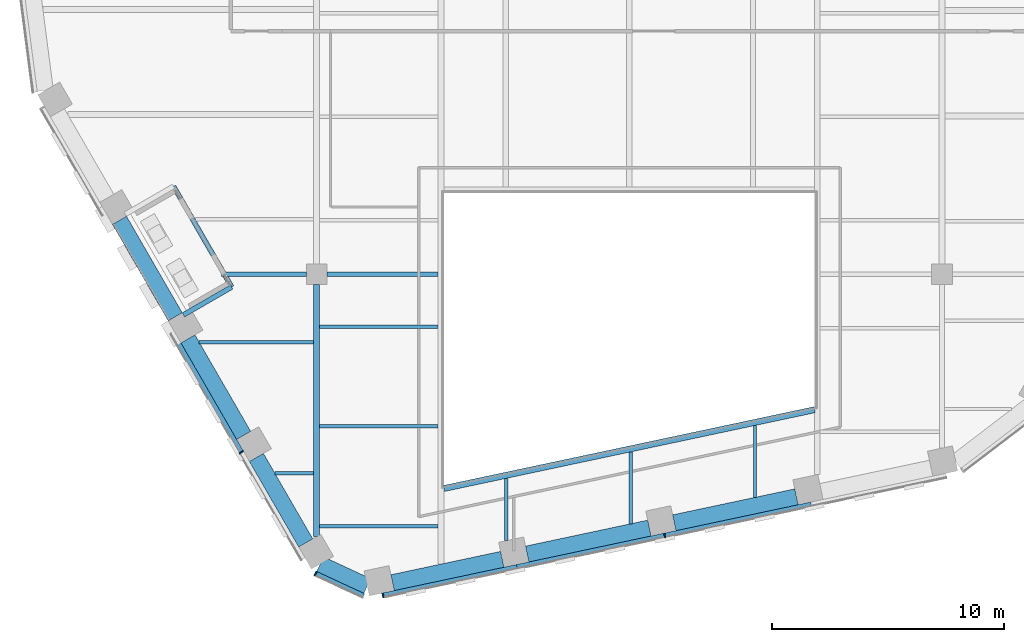
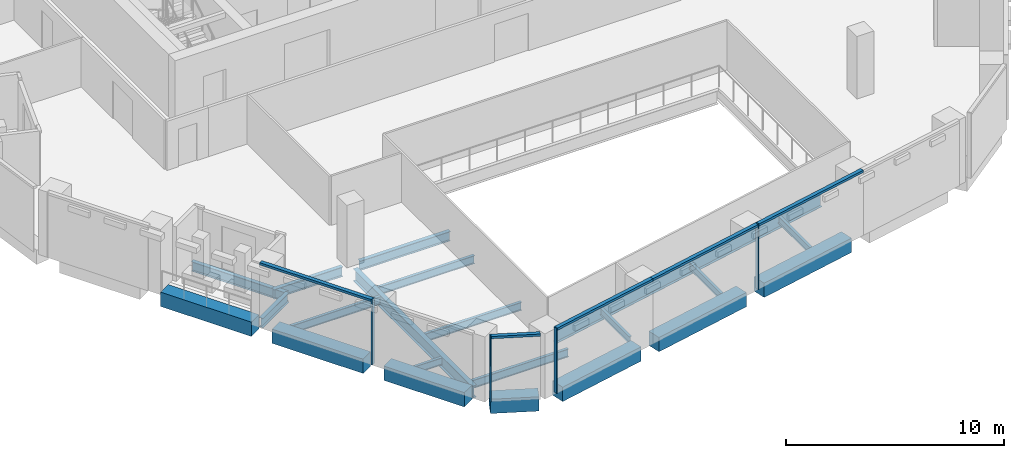
# One storey, part 2 of 24: 21 beams, 9 members, 3 elements without a shape of their own.
"""IFC4 building model written with IfcOpenShell, lengths in metres."""

import ifcopenshell
import ifcopenshell.guid

model = None  # the IFC model being written
_history = None  # IfcOwnerHistory: only IFC2X3 demands one
_inside = {}  # id of a spatial element -> (the spatial element, [elements in it])
_under = {}  # id of a project, library or spatial element -> (it, [spatial elements below it])
_declared = {}  # id of a project -> (the project, [libraries it declares])
_typed = {}  # id of a type object -> (the type object, [elements of that type])
_made_of = {}  # id of a material, layer set ... -> (it, [elements and type objects made of it])


def new_model(schema):
    """Start an empty IFC model of exactly this schema.

    Asked for "IFC4X3", IfcOpenShell would pick the latest addendum, in which some entities
    have other attributes; the version numbers below select the first issue.
    IFC2X3 requires an IfcOwnerHistory on every rooted entity: one is made here for all.
    """
    global model, _history
    if schema == "IFC4X3":
        model = ifcopenshell.file(schema_version=(4, 3, 0, 0))
    else:
        model = ifcopenshell.file(schema=schema)
    _inside.clear()
    _under.clear()
    _declared.clear()
    _typed.clear()
    _made_of.clear()
    _history = None
    if model.schema == "IFC2X3":
        org = make("IfcOrganization", Name="unknown")
        user = make(
            "IfcPersonAndOrganization",
            ThePerson=make("IfcPerson", FamilyName="unknown"),
            TheOrganization=org,
        )
        app = make(
            "IfcApplication",
            ApplicationDeveloper=org,
            Version="unknown",
            ApplicationFullName="unknown",
            ApplicationIdentifier="unknown",
        )
        _history = make(
            "IfcOwnerHistory",
            OwningUser=user,
            OwningApplication=app,
            ChangeAction="ADDED",
            CreationDate=0,
        )
    return model


def make(cls, **values):
    """One entity of the class cls with the attributes given. An attribute that is None is left unset."""
    return model.create_entity(
        cls, **{name: value for name, value in values.items() if value is not None}
    )


def rooted(cls, **values):
    """An entity with a GlobalId (a new one), such as an element, a storey or a relation."""
    return make(cls, GlobalId=ifcopenshell.guid.new(), OwnerHistory=_history, **values)


def si_unit(unit_type, name, prefix=None):
    """IfcSIUnit, for example si_unit("LENGTHUNIT", "METRE", prefix="MILLI")."""
    return make("IfcSIUnit", UnitType=unit_type, Prefix=prefix, Name=name)


def assignment(units):
    """IfcUnitAssignment: the units of a project."""
    return None if units is None else make("IfcUnitAssignment", Units=units)


def point(xyz):
    """IfcCartesianPoint."""
    return None if xyz is None else make("IfcCartesianPoint", Coordinates=xyz)


def direction(xyz):
    """IfcDirection."""
    return None if xyz is None else make("IfcDirection", DirectionRatios=xyz)


def frame(location, z_axis=None, x_axis=None):
    """IfcAxis2Placement3D, a coordinate frame: its origin and axes. An axis left out is left unset."""
    return make(
        "IfcAxis2Placement3D",
        Location=point(location),
        Axis=direction(z_axis),
        RefDirection=direction(x_axis),
    )


def frame_2d(location, x_axis=None):
    """IfcAxis2Placement2D, a coordinate frame in the plane: its origin and x axis."""
    return make(
        "IfcAxis2Placement2D", Location=point(location), RefDirection=direction(x_axis)
    )


def origin():
    """The frame at (0, 0, 0) with its axes left unset."""
    return frame((0.0, 0.0, 0.0))


def origin_2d():
    """The frame at (0, 0) in the plane with its x axis left unset."""
    return frame_2d((0.0, 0.0))


def place(relative_to, where):
    """IfcLocalPlacement: puts the frame where relative to a parent placement (None: the world)."""
    return make(
        "IfcLocalPlacement", PlacementRelTo=relative_to, RelativePlacement=where
    )


def context(
    kind, dimensions, precision=None, world=None, true_north=None, identifier=None
):
    """IfcGeometricRepresentationContext, for example the 3D "Model" context."""
    return make(
        "IfcGeometricRepresentationContext",
        ContextIdentifier=identifier,
        ContextType=kind,
        CoordinateSpaceDimension=dimensions,
        Precision=precision,
        WorldCoordinateSystem=world,
        TrueNorth=true_north,
    )


def subcontext(parent, identifier, kind, view, scale=None):
    """IfcGeometricRepresentationSubContext, for example "Body" below "Model"."""
    return make(
        "IfcGeometricRepresentationSubContext",
        ContextIdentifier=identifier,
        ContextType=kind,
        ParentContext=parent,
        TargetScale=scale,
        TargetView=view,
    )


def project(units=None, contexts=None):
    """IfcProject with its units and contexts."""
    return rooted(
        "IfcProject",
        Name="project",
        RepresentationContexts=contexts,
        UnitsInContext=assignment(units),
    )


def spatial(cls, under=None, at=None, **own):
    """A site, building, storey or space (cls), placed at a placement, below another one or the project."""
    s = rooted(cls, ObjectPlacement=at, **own)
    if under is not None:
        _under.setdefault(under.id(), (under, []))[1].append(s)
    return s


def profile(cls, at=None, kind="AREA", **sizes):
    """A parametric profile (cls). Its sizes go by their IFC names, for example OverallWidth=200.0."""
    return make(cls, ProfileType=kind, Position=at, **sizes)


def rectangle(**sizes):
    """IfcRectangleProfileDef."""
    return profile("IfcRectangleProfileDef", **sizes)


def i_section(**sizes):
    """IfcIShapeProfileDef."""
    return profile("IfcIShapeProfileDef", **sizes)


def extrude(swept, where, along, depth):
    """IfcExtrudedAreaSolid: the profile swept, set in the frame where, extruded along a direction by depth."""
    return make(
        "IfcExtrudedAreaSolid",
        SweptArea=swept,
        Position=where,
        ExtrudedDirection=direction(along),
        Depth=depth,
    )


def shape(context_of_items, identifier, shape_type, items):
    """IfcShapeRepresentation: the items that make up one representation, for example the "Body"."""
    return make(
        "IfcShapeRepresentation",
        ContextOfItems=context_of_items,
        RepresentationIdentifier=identifier,
        RepresentationType=shape_type,
        Items=items,
    )


def material(Name=None, Category=None):
    """IfcMaterial."""
    return make("IfcMaterial", Name=Name, Category=Category)


def layer(
    of_material, thickness, ventilated=None, Name=None, Category=None, Priority=None
):
    """IfcMaterialLayer: one layer of a wall or slab, of a material (None: an air gap)."""
    return make(
        "IfcMaterialLayer",
        Material=of_material,
        LayerThickness=thickness,
        IsVentilated=ventilated,
        Name=Name,
        Category=Category,
        Priority=Priority,
    )


def layer_set(layers, Name=None):
    """IfcMaterialLayerSet."""
    return make("IfcMaterialLayerSet", MaterialLayers=layers, LayerSetName=Name)


def material_profile(
    of_material, cross_section, Name=None, Category=None, Priority=None
):
    """IfcMaterialProfile: a cross section and its material."""
    return make(
        "IfcMaterialProfile",
        Name=Name,
        Material=of_material,
        Profile=cross_section,
        Priority=Priority,
        Category=Category,
    )


def profile_set(profiles, Name=None, composite=None):
    """IfcMaterialProfileSet."""
    return make(
        "IfcMaterialProfileSet",
        Name=Name,
        MaterialProfiles=profiles,
        CompositeProfile=composite,
    )


def made_of(thing, what):
    """Note that an element or type object is made of a material, layer set ...; save() writes the relation."""
    if what is not None:
        _made_of.setdefault(what.id(), (what, []))[1].append(thing)
    return thing


def type_object(cls, material=None, **own):
    """A type object (cls), such as IfcWallType, which elements share."""
    return made_of(rooted(cls, **own), material)


def element(
    cls,
    number,
    at=None,
    inside=None,
    cuts=None,
    type_object=None,
    material=None,
    context=None,
    identifier="Body",
    shape_type=None,
    held_by="IfcProductDefinitionShape",
    body=None,
    shapes=None,
    **own,
):
    """One element of the class cls, such as IfcWall. Its Tag is "e" and its number.

    at: its placement. inside: the storey or other place that contains it. cuts: it is an
    opening in that element (IfcRelVoidsElement). A single representation is given by context,
    identifier, shape_type and body (its items); several are given by shapes. held_by: the class
    of the entity that holds the representations. save() writes the other relations.
    """
    e = rooted(cls, Tag="e%d" % number, ObjectPlacement=at, **own)
    if body is not None:
        shapes = [shape(context, identifier, shape_type, body)]
    if shapes is not None:
        e.Representation = make(held_by, Representations=shapes)
    if inside is not None:
        _inside.setdefault(inside.id(), (inside, []))[1].append(e)
    if cuts is not None:
        rooted(
            "IfcRelVoidsElement", RelatingBuildingElement=cuts, RelatedOpeningElement=e
        )
    if type_object is not None:
        _typed.setdefault(type_object.id(), (type_object, []))[1].append(e)
    return made_of(e, material)


def aggregate(whole, parts):
    """IfcRelAggregates: a whole, such as a stair, and the parts it consists of."""
    return rooted("IfcRelAggregates", RelatingObject=whole, RelatedObjects=parts)


def save(model, path):
    """Write the relations noted so far, then the file.

    IfcRelAggregates (storeys below a building ...), IfcRelContainedInSpatialStructure (elements
    in a storey), IfcRelDefinesByType, IfcRelAssociatesMaterial and IfcRelDeclares: one each for
    every whole, place, type object, material and project.
    """
    for whole, parts in _under.values():
        aggregate(whole, parts)
    for where, things in _inside.values():
        rooted(
            "IfcRelContainedInSpatialStructure",
            RelatedElements=things,
            RelatingStructure=where,
        )
    for kind, things in _typed.values():
        rooted("IfcRelDefinesByType", RelatedObjects=things, RelatingType=kind)
    for what, things in _made_of.values():
        rooted("IfcRelAssociatesMaterial", RelatedObjects=things, RelatingMaterial=what)
    for by, libraries in _declared.values():
        rooted("IfcRelDeclares", RelatingContext=by, RelatedDefinitions=libraries)
    model.write(path)


model = new_model("IFC4")

# Units and contexts
model_context = context("Model", 3, precision=1e-05, world=origin(), true_north=direction((0.0, 1.0)))
body_context = subcontext(model_context, "Body", "Model", "MODEL_VIEW")
ifc_project = project(units=[si_unit("LENGTHUNIT", "METRE"), si_unit("AREAUNIT", "SQUARE_METRE"), si_unit("VOLUMEUNIT", "CUBIC_METRE"), si_unit("PLANEANGLEUNIT", "RADIAN"), si_unit("MASSUNIT", "GRAM", prefix="KILO")], contexts=[model_context])

# Site, building, storey
site_placement = place(None, origin())
site = spatial("IfcSite", under=ifc_project, at=site_placement, CompositionType="ELEMENT")
building_placement = place(site_placement, origin())
building = spatial("IfcBuilding", under=site, at=building_placement, Name="Isthmus Gate Tower", CompositionType="ELEMENT")
storey_placement = place(building_placement, frame((0.0, 0.0, 234.550048828125)))
storey = spatial("IfcBuildingStorey", under=building, at=storey_placement, Name="L59", CompositionType="ELEMENT", Elevation=234.550048828125)

# Curtain wall, member
ifc_material_1 = material(Name="Aluminium, pale champagne anodised", Category="aluminium")
ifc_layer = layer(ifc_material_1, 0.199951171875)
ifc_layer_set = layer_set([ifc_layer], Name="CW-1 UNITISED CURTAIN WALL 200 DEEP")
curtain_wall_type = type_object("IfcCurtainWallType", Name="CW-1 UNITISED CURTAIN WALL 200 DEEP", PredefinedType="NOTDEFINED", material=ifc_layer_set)
curtain_wall_1_placement = place(storey_placement, origin())
curtain_wall_1 = element("IfcCurtainWall", 1, at=curtain_wall_1_placement, inside=storey, type_object=curtain_wall_type, Name="CW-1 SW L59", PredefinedType="NOTDEFINED")
ifc_material_2 = material(Name="Aluminium, pale champagne anodised", Category="aluminium")
ifc_material_profile_1 = material_profile(ifc_material_2, rectangle(XDim=0.06005859375, YDim=0.199951171875, at=origin_2d()), Name="60x200")
ifc_profile_set_1 = profile_set([ifc_material_profile_1], Name="Aluminium, pale champagne anodised")
member_type_1 = type_object("IfcMemberType", Name="CW-1 MULLION 60 X 200", PredefinedType="MULLION", material=ifc_profile_set_1)
member_1_placement = place(storey_placement, frame((-16.751953125, -21.184814453125, 0.0), z_axis=(0.0, 0.0, 1.0), x_axis=(0.5, -0.866025403784, 0.0)))
member_1 = element("IfcMember", 2, at=member_1_placement, type_object=member_type_1, Name="CW-1 mullion", PredefinedType="MULLION", context=body_context, shape_type="SweptSolid", body=[
    extrude(rectangle(XDim=0.06005859375, YDim=0.199951171875, at=origin_2d()), origin(), (0.0, 0.0, 1.0), 3.64990234375),
])

curtain_wall_2_placement = place(storey_placement, origin())
curtain_wall_2 = element("IfcCurtainWall", 3, at=curtain_wall_2_placement, inside=storey, type_object=curtain_wall_type, Name="CW-1 SW-S L59", PredefinedType="NOTDEFINED")
member_2_placement = place(storey_placement, frame((-13.54833984375, -26.419677734375, 0.0), z_axis=(0.0, 0.0, 1.0), x_axis=(0.907256261367, -0.420578264073, 0.0)))
member_2 = element("IfcMember", 4, at=member_2_placement, type_object=member_type_1, Name="CW-1 mullion", PredefinedType="MULLION", context=body_context, shape_type="SweptSolid", body=[
    extrude(rectangle(XDim=0.06005859375, YDim=0.199951171875, at=origin_2d()), origin(), (0.0, 0.0, 1.0), 3.64990234375),
])

# Curtain wall, members
curtain_wall_3_placement = place(storey_placement, origin())
curtain_wall_3 = element("IfcCurtainWall", 5, at=curtain_wall_3_placement, inside=storey, type_object=curtain_wall_type, Name="CW-1 S L59", PredefinedType="NOTDEFINED")
member_3_placement = place(storey_placement, frame((-10.6376953125, -27.36328125, 0.0), z_axis=(0.0, 0.0, 1.0), x_axis=(0.978147600734, 0.207911690818, 0.0)))
member_3 = element("IfcMember", 6, at=member_3_placement, type_object=member_type_1, Name="CW-1 mullion", PredefinedType="MULLION", context=body_context, shape_type="SweptSolid", body=[
    extrude(rectangle(XDim=0.06005859375, YDim=0.199951171875, at=origin_2d()), origin(), (0.0, 0.0, 1.0), 3.64990234375),
])
member_4_placement = place(storey_placement, frame((1.5244140625, -24.7783203125, 0.0), z_axis=(0.0, 0.0, 1.0), x_axis=(0.978147600734, 0.207911690818, 0.0)))
member_4 = element("IfcMember", 7, at=member_4_placement, type_object=member_type_1, Name="CW-1 mullion", PredefinedType="MULLION", context=body_context, shape_type="SweptSolid", body=[
    extrude(rectangle(XDim=0.06005859375, YDim=0.199951171875, at=origin_2d()), origin(), (0.0, 0.0, 1.0), 3.64990234375),
])

# Member
ifc_material_3 = material(Name="Aluminium, pale champagne anodised", Category="aluminium")
ifc_material_profile_2 = material_profile(ifc_material_3, rectangle(XDim=0.199951171875, YDim=0.1298828125, at=origin_2d()), Name="200x130")
ifc_profile_set_2 = profile_set([ifc_material_profile_2], Name="Aluminium, pale champagne anodised")
member_type_2 = type_object("IfcMemberType", Name="CW-1 TRANSOM 200 X 130", PredefinedType="USERDEFINED", material=ifc_profile_set_2)
member_5_placement = place(storey_placement, frame((-19.72216796875, -16.0400390625, 3.5849609375), z_axis=(0.499990610615, -0.866030824681, 0.0), x_axis=(0.866030824681, 0.499990610615, 0.0)))
member_5 = element("IfcMember", 8, at=member_5_placement, type_object=member_type_2, Name="CW-1 transom", ObjectType="TRANSOM", PredefinedType="USERDEFINED", context=body_context, shape_type="SweptSolid", body=[
    extrude(rectangle(XDim=0.199951171875, YDim=0.1298828125, at=origin_2d()), origin(), (0.0, 0.0, 1.0), 5.91064453125),
])

aggregate(curtain_wall_1, [member_5, member_1])

member_6_placement = place(storey_placement, frame((-13.521240234375, -26.432373046875, 3.5849609375), z_axis=(0.907246225564, -0.420599912268, 0.0), x_axis=(0.420599912268, 0.907246225564, 0.0)))
member_6 = element("IfcMember", 9, at=member_6_placement, type_object=member_type_2, Name="CW-1 transom", ObjectType="TRANSOM", PredefinedType="USERDEFINED", context=body_context, shape_type="SweptSolid", body=[
    extrude(rectangle(XDim=0.199951171875, YDim=0.1298828125, at=origin_2d()), origin(), (0.0, 0.0, 1.0), 2.258544921875),
])

aggregate(curtain_wall_2, [member_2, member_6])

member_7_placement = place(storey_placement, frame((-10.6083984375, -27.357177734375, 3.5849609375), z_axis=(0.978148511799, 0.207907404549, 0.0), x_axis=(-0.207907404549, 0.978148511799, 0.0)))
member_7 = element("IfcMember", 10, at=member_7_placement, type_object=member_type_2, Name="CW-1 transom", ObjectType="TRANSOM", PredefinedType="USERDEFINED", context=body_context, shape_type="SweptSolid", body=[
    extrude(rectangle(XDim=0.199951171875, YDim=0.1298828125, at=origin_2d()), origin(), (0.0, 0.0, 1.0), 5.8818359375),
])

member_8_placement = place(storey_placement, frame((-4.85498046875, -26.13427734375, 3.5849609375), z_axis=(0.978142886198, 0.207933869729, 0.0), x_axis=(-0.207933869729, 0.978142886198, 0.0)))
member_8 = element("IfcMember", 11, at=member_8_placement, type_object=member_type_2, Name="CW-1 transom", ObjectType="TRANSOM", PredefinedType="USERDEFINED", context=body_context, shape_type="SweptSolid", body=[
    extrude(rectangle(XDim=0.199951171875, YDim=0.1298828125, at=origin_2d()), origin(), (0.0, 0.0, 1.0), 6.49169921875),
])

member_9_placement = place(storey_placement, frame((1.5537109375, -24.77197265625, 3.5849609375), z_axis=(0.978150457162, 0.207898251926, 0.0), x_axis=(-0.207898251926, 0.978150457162, 0.0)))
member_9 = element("IfcMember", 12, at=member_9_placement, type_object=member_type_2, Name="CW-1 transom", ObjectType="TRANSOM", PredefinedType="USERDEFINED", context=body_context, shape_type="SweptSolid", body=[
    extrude(rectangle(XDim=0.199951171875, YDim=0.1298828125, at=origin_2d()), origin(), (0.0, 0.0, 1.0), 6.431884765625),
])

aggregate(curtain_wall_3, [member_3, member_7, member_8, member_4, member_9])

# Beams
ifc_material_4 = material(Name="Concrete f'c 50 MPa", Category="concrete")
ifc_material_profile_3 = material_profile(ifc_material_4, rectangle(XDim=0.699951171875, YDim=0.800048828125, at=origin_2d()), Name="RC 700X800")
ifc_profile_set_3 = profile_set([ifc_material_profile_3], Name="Concrete f'c 50 MPa")
beam_type_1 = type_object("IfcBeamType", Name="RC SPANDREL 700 X 800", PredefinedType="SPANDREL", material=ifc_profile_set_3)
for number, where, z_axis, x_axis, name in (
    (13, (7.21337890625, -23.10888671875, -0.400146484375), (-0.978144348563, -0.207926990492, 0.0), (0.207926990492, -0.978144348563, 0.0), "str-spandrel-L59-12"),
    (14, (0.863525390625, -24.458740234375, -0.400146484375), (-0.978155513612, -0.207874460167, 0.0), (0.207874460167, -0.978155513612, 0.0), "str-spandrel-L59-13"),
):
    element("IfcBeam", number, at=place(storey_placement, frame(where, z_axis=z_axis, x_axis=x_axis)), inside=storey, type_object=beam_type_1, Name=name, PredefinedType="SPANDREL", context=body_context, shape_type="SweptSolid", body=[
        extrude(rectangle(XDim=0.699951171875, YDim=0.800048828125, at=origin_2d()), origin(), (0.0, 0.0, 1.0), 5.391845703125),
    ])
beam_1_placement = place(storey_placement, frame((-5.486572265625, -25.808349609375, -0.400146484375), z_axis=(-0.978141291228, -0.207941372495, 0.0), x_axis=(0.207941372495, -0.978141291228, 0.0)))
element("IfcBeam", 15, at=beam_1_placement, inside=storey, type_object=beam_type_1, Name="str-spandrel-L59-14", PredefinedType="SPANDREL", context=body_context, shape_type="SweptSolid", body=[
    extrude(rectangle(XDim=0.699951171875, YDim=0.800048828125, at=origin_2d()), origin(), (0.0, 0.0, 1.0), 4.842041015625),
])
beam_2_placement = place(storey_placement, frame((-11.31689453125, -26.958251953125, -0.400146484375), z_axis=(-0.907254968276, 0.42058105347, 0.0), x_axis=(-0.42058105347, -0.907254968276, 0.0)))
element("IfcBeam", 16, at=beam_2_placement, inside=storey, type_object=beam_type_1, Name="str-spandrel-L59-15", PredefinedType="SPANDREL", context=body_context, shape_type="SweptSolid", body=[
    extrude(rectangle(XDim=0.699951171875, YDim=0.800048828125, at=origin_2d()), origin(), (0.0, 0.0, 1.0), 2.245849609375),
])
beam_3_placement = place(storey_placement, frame((-13.971923828125, -25.10009765625, -0.400146484375), z_axis=(-0.499996907167, 0.866027189425, 0.0), x_axis=(-0.866027189425, -0.499996907167, 0.0)))
element("IfcBeam", 17, at=beam_3_placement, inside=storey, type_object=beam_type_1, Name="str-spandrel-L59-16", PredefinedType="SPANDREL", context=body_context, shape_type="SweptSolid", body=[
    extrude(rectangle(XDim=0.699951171875, YDim=0.800048828125, at=origin_2d()), origin(), (0.0, 0.0, 1.0), 4.2607421875),
])
for number, where, z_axis, x_axis, name in (
    (18, (-16.652099609375, -20.45751953125, -0.400146484375), (-0.500003616288, 0.866023315909, 0.0), (-0.866023315909, -0.500003616288, 0.0), "str-spandrel-L59-17"),
    (19, (-19.607421875, -15.3388671875, -0.400146484375), (-0.500003616288, 0.866023315909, 0.0), (-0.866023315909, -0.500003616288, 0.0), "str-spandrel-L59-18"),
):
    element("IfcBeam", number, at=place(storey_placement, frame(where, z_axis=z_axis, x_axis=x_axis)), inside=storey, type_object=beam_type_1, Name=name, PredefinedType="SPANDREL", context=body_context, shape_type="SweptSolid", body=[
        extrude(rectangle(XDim=0.699951171875, YDim=0.800048828125, at=origin_2d()), origin(), (0.0, 0.0, 1.0), 4.810546875),
    ])
ifc_material_5 = material(Name="Structural steel ASTM A992 Gr 50", Category="steel")
ifc_material_profile_4 = material_profile(ifc_material_5, i_section(OverallWidth=0.1396484375, OverallDepth=0.4033203125, WebThickness=0.00634765625, FlangeThickness=0.010986328125, at=origin_2d()), Name="W16X31")
ifc_profile_set_4 = profile_set([ifc_material_profile_4], Name="Structural steel ASTM A992 Gr 50")
beam_type_2 = type_object("IfcBeamType", Name="STEEL FLOOR BEAM W16X31", PredefinedType="JOIST", material=ifc_profile_set_4)
beam_4_placement = place(storey_placement, frame((-15.302734375, -22.094970703125, -0.3515625), z_axis=(1.0, 0.0, 0.0), x_axis=(0.0, 1.0, 0.0)))
element("IfcBeam", 20, at=beam_4_placement, inside=storey, type_object=beam_type_2, Name="str-beam-L59-04-00", PredefinedType="JOIST", context=body_context, shape_type="SweptSolid", body=[
    extrude(i_section(OverallWidth=0.1396484375, OverallDepth=0.4033203125, WebThickness=0.00634765625, FlangeThickness=0.010986328125, at=origin_2d()), origin(), (0.0, 0.0, 1.0), 1.67578125),
])
beam_5_placement = place(storey_placement, frame((-5.314208984375, -25.005126953125, -0.3515625), z_axis=(0.0, 1.0, 0.0), x_axis=(-1.0, 0.0, 0.0)))
element("IfcBeam", 21, at=beam_5_placement, inside=storey, type_object=beam_type_2, Name="str-beam-L59-09-00", PredefinedType="JOIST", context=body_context, shape_type="SweptSolid", body=[
    extrude(i_section(OverallWidth=0.1396484375, OverallDepth=0.4033203125, WebThickness=0.00634765625, FlangeThickness=0.010986328125, at=origin_2d()), origin(), (0.0, 0.0, 1.0), 2.692138671875),
])
for number, where, z_axis, x_axis, name in (
    (22, (0.05712890625, -24.272216796875, -0.3515625), (0.0, 1.0, 0.0), (-1.0, 0.0, 0.0), "str-beam-L59-09-01"),
    (23, (5.428466796875, -23.13037109375, -0.3515625), (0.0, 1.0, 0.0), (-1.0, 0.0, 0.0), "str-beam-L59-09-02"),
):
    element("IfcBeam", number, at=place(storey_placement, frame(where, z_axis=z_axis, x_axis=x_axis)), inside=storey, type_object=beam_type_2, Name=name, PredefinedType="JOIST", context=body_context, shape_type="SweptSolid", body=[
        extrude(i_section(OverallWidth=0.1396484375, OverallDepth=0.4033203125, WebThickness=0.00634765625, FlangeThickness=0.010986328125, at=origin_2d()), origin(), (0.0, 0.0, 1.0), 3.10107421875),
    ])
ifc_material_6 = material(Name="Structural steel ASTM A992 Gr 50", Category="steel")
ifc_material_profile_5 = material_profile(ifc_material_6, i_section(OverallWidth=0.15234375, OverallDepth=0.45068359375, WebThickness=0.0078125, FlangeThickness=0.010986328125, at=origin_2d()), Name="W18X35")
ifc_profile_set_5 = profile_set([ifc_material_profile_5], Name="Structural steel ASTM A992 Gr 50")
beam_type_3 = type_object("IfcBeamType", Name="STEEL FLOOR BEAM W18X35", PredefinedType="JOIST", material=ifc_profile_set_5)
beam_6_placement = place(storey_placement, frame((-18.570556640625, -16.434814453125, -0.37548828125), z_axis=(1.0, 0.0, 0.0), x_axis=(0.0, 1.0, 0.0)))
element("IfcBeam", 24, at=beam_6_placement, inside=storey, type_object=beam_type_3, Name="str-beam-L59-04-01", PredefinedType="JOIST", context=body_context, shape_type="SweptSolid", body=[
    extrude(i_section(OverallWidth=0.15234375, OverallDepth=0.45068359375, WebThickness=0.0078125, FlangeThickness=0.010986328125, at=origin_2d()), origin(), (0.0, 0.0, 1.0), 4.943603515625),
])
for number, where, z_axis, x_axis, name in (
    (25, (-13.373046875, -24.3759765625, -0.37548828125), (1.0, 0.0, 0.0), (0.0, 1.0, 0.0), "str-beam-L59-06-00"),
    (26, (-13.373046875, -20.0673828125, -0.37548828125), (1.0, 0.0, 0.0), (0.0, 1.0, 0.0), "str-beam-L59-06-01"),
    (27, (-13.373046875, -15.759033203125, -0.37548828125), (1.0, 0.0, 0.0), (0.0, 1.0, 0.0), "str-beam-L59-06-02"),
):
    element("IfcBeam", number, at=place(storey_placement, frame(where, z_axis=z_axis, x_axis=x_axis)), inside=storey, type_object=beam_type_3, Name=name, PredefinedType="JOIST", context=body_context, shape_type="SweptSolid", body=[
        extrude(i_section(OverallWidth=0.15234375, OverallDepth=0.45068359375, WebThickness=0.0078125, FlangeThickness=0.010986328125, at=origin_2d()), origin(), (0.0, 0.0, 1.0), 5.109619140625),
    ])
ifc_material_7 = material(Name="Structural steel ASTM A992 Gr 50", Category="steel")
ifc_material_profile_6 = material_profile(ifc_material_7, i_section(OverallWidth=0.20947265625, OverallDepth=0.533447265625, WebThickness=0.009521484375, FlangeThickness=0.015869140625, at=origin_2d()), Name="W21X62")
ifc_profile_set_6 = profile_set([ifc_material_profile_6], Name="Structural steel ASTM A992 Gr 50")
beam_type_4 = type_object("IfcBeamType", Name="STEEL GIRDER W21X62", PredefinedType="BEAM", material=ifc_profile_set_6)
beam_7_placement = place(storey_placement, frame((-17.609130859375, -13.5, -0.416748046875), z_axis=(1.0, 0.0, 0.0), x_axis=(0.0, 1.0, 0.0)))
element("IfcBeam", 28, at=beam_7_placement, inside=storey, type_object=beam_type_4, Name="str-girder-L59-01", PredefinedType="BEAM", context=body_context, shape_type="SweptSolid", body=[
    extrude(i_section(OverallWidth=0.20947265625, OverallDepth=0.533447265625, WebThickness=0.009521484375, FlangeThickness=0.015869140625, at=origin_2d()), origin(), (0.0, 0.0, 1.0), 3.6591796875),
])
beam_8_placement = place(storey_placement, frame((-13.050048828125, -13.5, -0.416748046875), z_axis=(1.0, 0.0, 0.0), x_axis=(0.0, 1.0, 0.0)))
element("IfcBeam", 29, at=beam_8_placement, inside=storey, type_object=beam_type_4, Name="str-girder-L59-02", PredefinedType="BEAM", context=body_context, shape_type="SweptSolid", body=[
    extrude(i_section(OverallWidth=0.20947265625, OverallDepth=0.533447265625, WebThickness=0.009521484375, FlangeThickness=0.015869140625, at=origin_2d()), origin(), (0.0, 0.0, 1.0), 4.78662109375),
])
ifc_material_8 = material(Name="Structural steel ASTM A992 Gr 50", Category="steel")
ifc_material_profile_7 = material_profile(ifc_material_8, i_section(OverallWidth=0.25390625, OverallDepth=0.679443359375, WebThickness=0.010986328125, FlangeThickness=0.015869140625, at=origin_2d()), Name="W27X84")
ifc_profile_set_7 = profile_set([ifc_material_profile_7], Name="Structural steel ASTM A992 Gr 50")
beam_type_5 = type_object("IfcBeamType", Name="STEEL GIRDER W27X84", PredefinedType="BEAM", material=ifc_profile_set_7)
beam_9_placement = place(storey_placement, frame((-13.5, -24.82763671875, -0.48974609375), z_axis=(0.0, 1.0, 0.0), x_axis=(-1.0, 0.0, 0.0)))
element("IfcBeam", 30, at=beam_9_placement, inside=storey, type_object=beam_type_5, Name="str-girder-L59-05", PredefinedType="BEAM", context=body_context, shape_type="SweptSolid", body=[
    extrude(i_section(OverallWidth=0.25390625, OverallDepth=0.679443359375, WebThickness=0.010986328125, FlangeThickness=0.015869140625, at=origin_2d()), origin(), (0.0, 0.0, 1.0), 10.877685546875),
])
ifc_material_9 = material(Name="Structural steel ASTM A992 Gr 50", Category="steel")
ifc_material_profile_8 = material_profile(ifc_material_9, i_section(OverallWidth=0.20947265625, OverallDepth=0.533447265625, WebThickness=0.009521484375, FlangeThickness=0.015869140625, at=origin_2d()), Name="W21X62")
ifc_profile_set_8 = profile_set([ifc_material_profile_8], Name="Structural steel ASTM A992 Gr 50")
beam_type_6 = type_object("IfcBeamType", Name="STEEL TRIMMER W21X62", PredefinedType="BEAM", material=ifc_profile_set_8)
beam_10_placement = place(storey_placement, frame((-19.679443359375, -9.70458984375, -0.416748046875), z_axis=(0.499983455602, -0.866034955486, 0.0), x_axis=(0.866034955486, 0.499983455602, 0.0)))
element("IfcBeam", 31, at=beam_10_placement, inside=storey, type_object=beam_type_6, Name="str-loggiatrim-L59-03-B", PredefinedType="BEAM", context=body_context, shape_type="SweptSolid", body=[
    extrude(i_section(OverallWidth=0.20947265625, OverallDepth=0.533447265625, WebThickness=0.009521484375, FlangeThickness=0.015869140625, at=origin_2d()), origin(), (0.0, 0.0, 1.0), 5.020263671875),
])
beam_11_placement = place(storey_placement, frame((-19.251953125, -15.254638671875, -0.416748046875), z_axis=(0.866016514357, 0.500015396624, 0.0), x_axis=(-0.500015396624, 0.866016514357, 0.0)))
element("IfcBeam", 32, at=beam_11_placement, inside=storey, type_object=beam_type_6, Name="str-loggiatrim-L59-03-C", PredefinedType="BEAM", context=body_context, shape_type="SweptSolid", body=[
    extrude(i_section(OverallWidth=0.20947265625, OverallDepth=0.533447265625, WebThickness=0.009521484375, FlangeThickness=0.015869140625, at=origin_2d()), origin(), (0.0, 0.0, 1.0), 2.40478515625),
])
ifc_material_10 = material(Name="Structural steel ASTM A992 Gr 50", Category="steel")
ifc_material_profile_9 = material_profile(ifc_material_10, i_section(OverallWidth=0.2666015625, OverallDepth=0.7587890625, WebThickness=0.014404296875, FlangeThickness=0.01904296875, at=origin_2d()), Name="W30X108")
ifc_profile_set_9 = profile_set([ifc_material_profile_9], Name="Structural steel ASTM A992 Gr 50")
beam_type_7 = type_object("IfcBeamType", Name="STEEL TRIMMER W30X108", PredefinedType="BEAM", material=ifc_profile_set_9)
beam_12_placement = place(storey_placement, frame((-8.0, -22.747314453125, -0.529541015625), z_axis=(0.978147924985, 0.20791016533, 0.0), x_axis=(-0.20791016533, 0.978147924985, 0.0)))
element("IfcBeam", 33, at=beam_12_placement, inside=storey, type_object=beam_type_7, Name="str-trimmer-L59-03", PredefinedType="BEAM", context=body_context, shape_type="SweptSolid", body=[
    extrude(i_section(OverallWidth=0.2666015625, OverallDepth=0.7587890625, WebThickness=0.014404296875, FlangeThickness=0.01904296875, at=origin_2d()), origin(), (0.0, 0.0, 1.0), 16.357421875),
])

save(model, "model.ifc")
